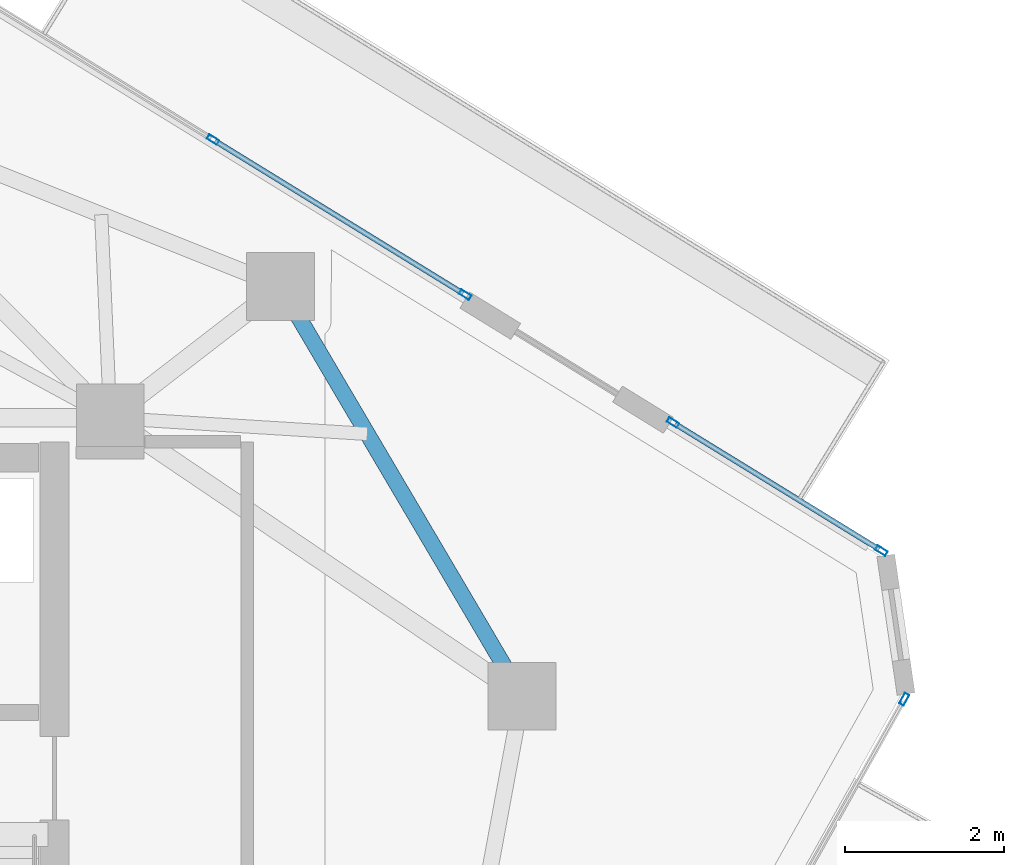
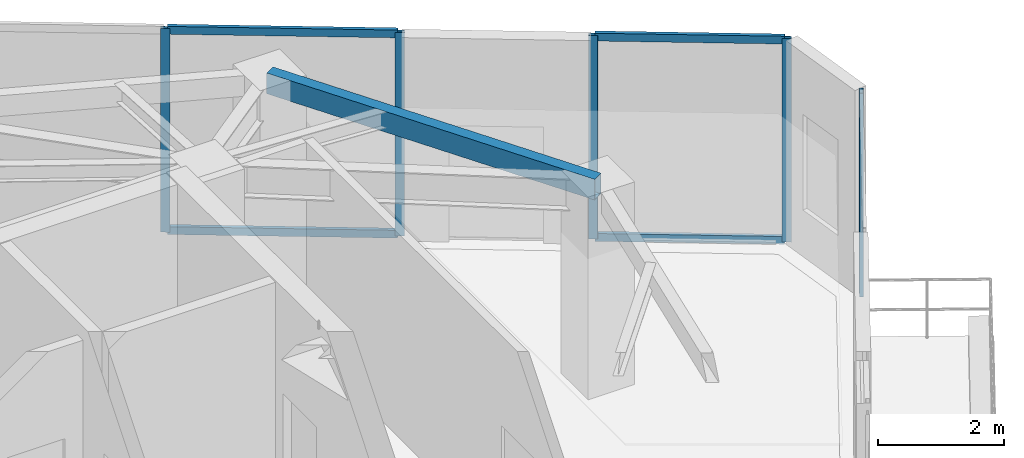
# One storey, part 14 of 20: 9 members, 1 beam, 3 elements without a shape of their own.
"""IFC4 building model written with IfcOpenShell, lengths in metres."""

from ifc_helpers import new_model, si_unit, direction, frame, origin, origin_2d, place, context, subcontext, project, spatial, hollow_rectangle, extrude, source, transform, mapped, material, layer, layer_set, material_profile, profile_set, type_object, type_shapes, element, aggregate, save


model = new_model("IFC4")

# Units and contexts
model_context = context("Model", 3, precision=1e-05, world=origin(), true_north=direction((0.0, 1.0)))
body_context = subcontext(model_context, "Body", "Model", "MODEL_VIEW")
ifc_project = project(units=[si_unit("LENGTHUNIT", "METRE"), si_unit("AREAUNIT", "SQUARE_METRE"), si_unit("VOLUMEUNIT", "CUBIC_METRE"), si_unit("PLANEANGLEUNIT", "RADIAN"), si_unit("MASSUNIT", "GRAM", prefix="KILO")], contexts=[model_context])

# Site, building, storey
site_placement = place(None, origin())
site = spatial("IfcSite", under=ifc_project, at=site_placement, CompositionType="ELEMENT")
building_placement = place(site_placement, origin())
building = spatial("IfcBuilding", under=site, at=building_placement, Name="Talar Marvaseh", CompositionType="ELEMENT")
storey_placement = place(building_placement, frame((0.0, 0.0, 291.800048828125)))
storey = spatial("IfcBuildingStorey", under=building, at=storey_placement, Name="L78", CompositionType="ELEMENT", Elevation=291.800048828125)

# Beam
ifc_material_1 = material(Name="Steel S355", Category="steel")
ifc_material_profile_1 = material_profile(ifc_material_1, hollow_rectangle(XDim=0.199951171875, YDim=0.39990234375, WallThickness=0.013916015625, at=origin_2d()), Name="RHS400x200x14")
ifc_profile_set_1 = profile_set([ifc_material_profile_1], Name="Steel S355")
beam_type = type_object("IfcBeamType", Name="Zone 3 Perimeter Spandrel Beam RHS400x200x14", PredefinedType="SPANDREL", material=ifc_profile_set_1)
beam_placement = place(storey_placement, frame((35.43798828125, 38.551025390625, 3.739990234375), z_axis=(0.507825587611, -0.861459907696, 0.0), x_axis=(0.861459907696, 0.507825587611, 0.0)))
element("IfcBeam", 1, at=beam_placement, inside=storey, type_object=beam_type, Name="L78 Zone 3 Perimeter Spandrel Beam RHS400x200x14", PredefinedType="SPANDREL", context=body_context, shape_type="SweptSolid", body=[
    extrude(hollow_rectangle(XDim=0.199951171875, YDim=0.39990234375, WallThickness=0.013916015625, at=origin_2d()), origin(), (0.0, 0.0, 1.0), 5.972412109375),
])

# Curtain wall, members
ifc_material_2 = material(Name="Architectural Aluminium", Category="aluminium")
ifc_layer = layer(ifc_material_2, 0.239990234375)
ifc_layer_set = layer_set([ifc_layer], Name="Architectural Aluminium")
curtain_wall_type = type_object("IfcCurtainWallType", Name="Observation Sky Gallery Structural Glass Wall", PredefinedType="NOTDEFINED", material=ifc_layer_set)
curtain_wall_1_placement = place(storey_placement, origin())
curtain_wall_1 = element("IfcCurtainWall", 2, at=curtain_wall_1_placement, inside=storey, type_object=curtain_wall_type, Name="L78 Observation Sky Gallery Structural Glass Wall", PredefinedType="NOTDEFINED")
ifc_material_profile_2 = material_profile(ifc_material_2, hollow_rectangle(XDim=0.06494140625, YDim=0.14990234375, WallThickness=0.00390625, at=origin_2d()), Name="RHS150x65x4")
ifc_profile_set_2 = profile_set([ifc_material_profile_2], Name="Architectural Aluminium")
member_type_1 = type_object("IfcMemberType", Name="Unitised Curtain Wall Slim Transom RHS150x65x4", PredefinedType="USERDEFINED", material=ifc_profile_set_2)
shared_shape_1 = source(origin(), body_context, "Body", "SweptSolid", [
    extrude(hollow_rectangle(XDim=0.06494140625, YDim=0.14990234375, WallThickness=0.00390625, at=origin_2d()), origin(), (0.0, 0.0, 1.0), 3.005859375),
])
member_1_placement = place(storey_placement, frame((40.395263671875, 36.823974609375, 0.032470703125), z_axis=(0.851750329258, -0.523947875851, 0.0), x_axis=(0.523947875851, 0.851750329258, 0.0)))
member_1 = element("IfcMember", 3, at=member_1_placement, type_object=member_type_1, Name="CW-OBS transom 1.1", ObjectType="TRANSOM", PredefinedType="USERDEFINED", context=body_context, shape_type="MappedRepresentation", body=[
    mapped(shared_shape_1, transform((0.0, 0.0, 0.0), x_axis=(1.0, 0.0, 0.0), y_axis=(0.0, 1.0, 0.0), z_axis=(0.0, 0.0, 1.0), scale=1.0)),
])
member_2_placement = place(storey_placement, frame((40.395263671875, 36.823974609375, 3.907470703125), z_axis=(0.851750329258, -0.523947875851, 0.0), x_axis=(0.523947875851, 0.851750329258, 0.0)))
member_2 = element("IfcMember", 4, at=member_2_placement, type_object=member_type_1, Name="CW-OBS transom 1.2", ObjectType="TRANSOM", PredefinedType="USERDEFINED", context=body_context, shape_type="MappedRepresentation", body=[
    mapped(shared_shape_1, transform((0.0, 0.0, 0.0), x_axis=(1.0, 0.0, 0.0), y_axis=(0.0, 1.0, 0.0), z_axis=(0.0, 0.0, 1.0), scale=1.0)),
])

curtain_wall_2_placement = place(storey_placement, origin())
curtain_wall_2 = element("IfcCurtainWall", 5, at=curtain_wall_2_placement, inside=storey, type_object=curtain_wall_type, Name="L78 Observation Sky Gallery Structural Glass Wall", PredefinedType="NOTDEFINED")
shared_shape_2 = source(origin(), body_context, "Body", "SweptSolid", [
    extrude(hollow_rectangle(XDim=0.06494140625, YDim=0.14990234375, WallThickness=0.00390625, at=origin_2d()), origin(), (0.0, 0.0, 1.0), 3.65185546875),
])
type_shapes(member_type_1, [shared_shape_1, shared_shape_2])
member_3_placement = place(storey_placement, frame((34.618896484375, 40.376953125, 0.032470703125), z_axis=(0.851766180615, -0.523922106387, 0.0), x_axis=(0.523922106387, 0.851766180615, 0.0)))
member_3 = element("IfcMember", 6, at=member_3_placement, type_object=member_type_1, Name="CW-OBS transom 2.1", ObjectType="TRANSOM", PredefinedType="USERDEFINED", context=body_context, shape_type="MappedRepresentation", body=[
    mapped(shared_shape_2, transform((0.0, 0.0, 0.0), x_axis=(1.0, 0.0, 0.0), y_axis=(0.0, 1.0, 0.0), z_axis=(0.0, 0.0, 1.0), scale=1.0)),
])
member_4_placement = place(storey_placement, frame((34.618896484375, 40.376953125, 3.907470703125), z_axis=(0.851766180615, -0.523922106387, 0.0), x_axis=(0.523922106387, 0.851766180615, 0.0)))
member_4 = element("IfcMember", 7, at=member_4_placement, type_object=member_type_1, Name="CW-OBS transom 2.2", ObjectType="TRANSOM", PredefinedType="USERDEFINED", context=body_context, shape_type="MappedRepresentation", body=[
    mapped(shared_shape_2, transform((0.0, 0.0, 0.0), x_axis=(1.0, 0.0, 0.0), y_axis=(0.0, 1.0, 0.0), z_axis=(0.0, 0.0, 1.0), scale=1.0)),
])
ifc_material_profile_3 = material_profile(ifc_material_2, hollow_rectangle(XDim=0.06494140625, YDim=0.14990234375, WallThickness=0.00390625, at=origin_2d()), Name="RHS150x65x4")
ifc_profile_set_3 = profile_set([ifc_material_profile_3], Name="Architectural Aluminium")
member_type_2 = type_object("IfcMemberType", Name="Unitised Curtain Wall Slim Mullion RHS150x65x4", PredefinedType="MULLION", material=ifc_profile_set_3)
shared_shape_3 = source(origin(), body_context, "Body", "SweptSolid", [
    extrude(hollow_rectangle(XDim=0.06494140625, YDim=0.14990234375, WallThickness=0.00390625, at=origin_2d()), origin(), (0.0, 0.0, 1.0), 3.93994140625),
])
type_shapes(member_type_2, [shared_shape_3])
member_5_placement = place(storey_placement, frame((34.591064453125, 40.39404296875, 0.0), z_axis=(0.0, 0.0, 1.0), x_axis=(0.523932244916, 0.851759944314, 0.0)))
member_5 = element("IfcMember", 8, at=member_5_placement, type_object=member_type_2, Name="CW-OBS mullion 2", PredefinedType="MULLION", context=body_context, shape_type="MappedRepresentation", body=[
    mapped(shared_shape_3, transform((0.0, 0.0, 0.0), x_axis=(1.0, 0.0, 0.0), y_axis=(0.0, 1.0, 0.0), z_axis=(0.0, 0.0, 1.0), scale=1.0)),
])
member_6_placement = place(storey_placement, frame((37.757080078125, 38.446533203125, 0.0), z_axis=(0.0, 0.0, 1.0), x_axis=(0.523932244916, 0.851759944314, 0.0)))
member_6 = element("IfcMember", 9, at=member_6_placement, type_object=member_type_2, Name="CW-OBS mullion 3", PredefinedType="MULLION", context=body_context, shape_type="MappedRepresentation", body=[
    mapped(shared_shape_3, transform((0.0, 0.0, 0.0), x_axis=(1.0, 0.0, 0.0), y_axis=(0.0, 1.0, 0.0), z_axis=(0.0, 0.0, 1.0), scale=1.0)),
])
aggregate(curtain_wall_2, [member_5, member_6, member_3, member_4])

# Member
member_7_placement = place(storey_placement, frame((40.367431640625, 36.841064453125, 0.0), z_axis=(0.0, 0.0, 1.0), x_axis=(0.523923056053, 0.851765596474, 0.0)))
member_7 = element("IfcMember", 10, at=member_7_placement, type_object=member_type_2, Name="CW-OBS mullion 1", PredefinedType="MULLION", context=body_context, shape_type="MappedRepresentation", body=[
    mapped(shared_shape_3, transform((0.0, 0.0, 0.0), x_axis=(1.0, 0.0, 0.0), y_axis=(0.0, 1.0, 0.0), z_axis=(0.0, 0.0, 1.0), scale=1.0)),
])

member_8_placement = place(storey_placement, frame((42.983154296875, 35.23193359375, 0.0), z_axis=(0.0, 0.0, 1.0), x_axis=(0.523923056053, 0.851765596474, 0.0)))
member_8 = element("IfcMember", 11, at=member_8_placement, type_object=member_type_2, Name="CW-OBS mullion 2", PredefinedType="MULLION", context=body_context, shape_type="MappedRepresentation", body=[
    mapped(shared_shape_3, transform((0.0, 0.0, 0.0), x_axis=(1.0, 0.0, 0.0), y_axis=(0.0, 1.0, 0.0), z_axis=(0.0, 0.0, 1.0), scale=1.0)),
])

aggregate(curtain_wall_1, [member_7, member_8, member_1, member_2])

# Curtain wall, member
curtain_wall_3_placement = place(storey_placement, origin())
curtain_wall_3 = element("IfcCurtainWall", 12, at=curtain_wall_3_placement, inside=storey, type_object=curtain_wall_type, Name="L78 Observation Sky Gallery Structural Glass Wall", PredefinedType="NOTDEFINED")
member_9_placement = place(storey_placement, frame((43.2705078125, 33.36669921875, 0.0), z_axis=(0.0, 0.0, 1.0), x_axis=(0.872426869495, -0.488744675044, 0.0)))
member_9 = element("IfcMember", 13, at=member_9_placement, type_object=member_type_2, Name="CW-OBS mullion 1", PredefinedType="MULLION", context=body_context, shape_type="MappedRepresentation", body=[
    mapped(shared_shape_3, transform((0.0, 0.0, 0.0), x_axis=(1.0, 0.0, 0.0), y_axis=(0.0, 1.0, 0.0), z_axis=(0.0, 0.0, 1.0), scale=1.0)),
])
aggregate(curtain_wall_3, [member_9])

save(model, "model.ifc")
